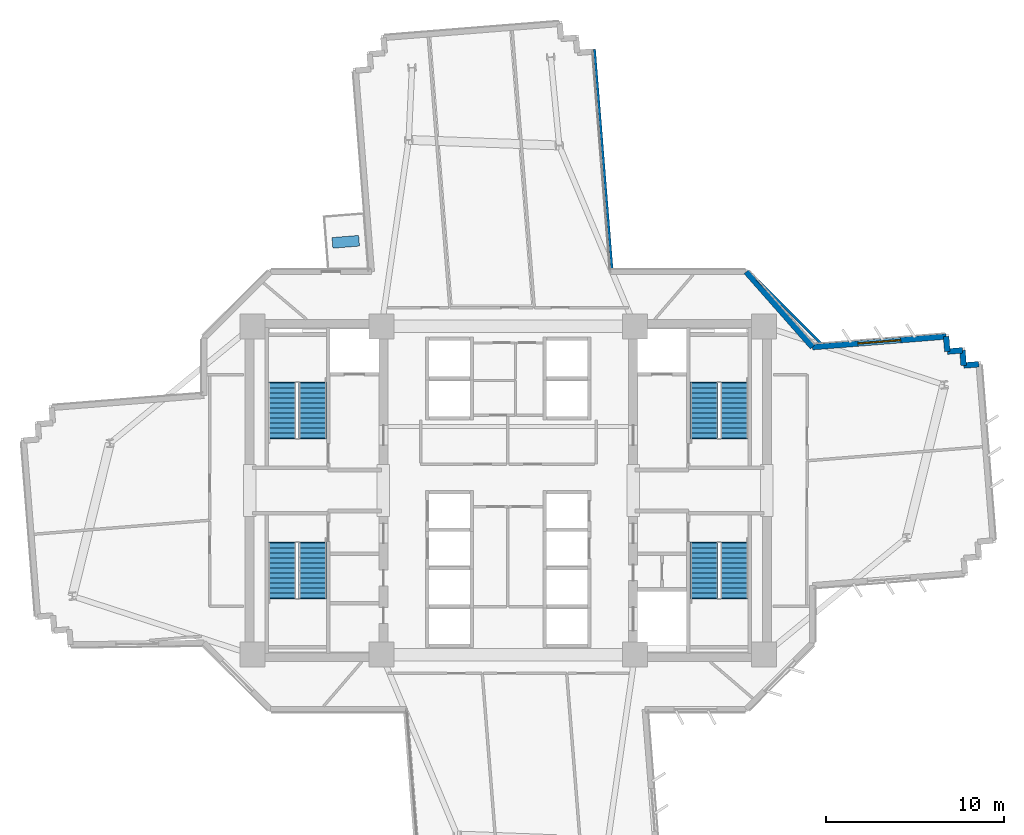
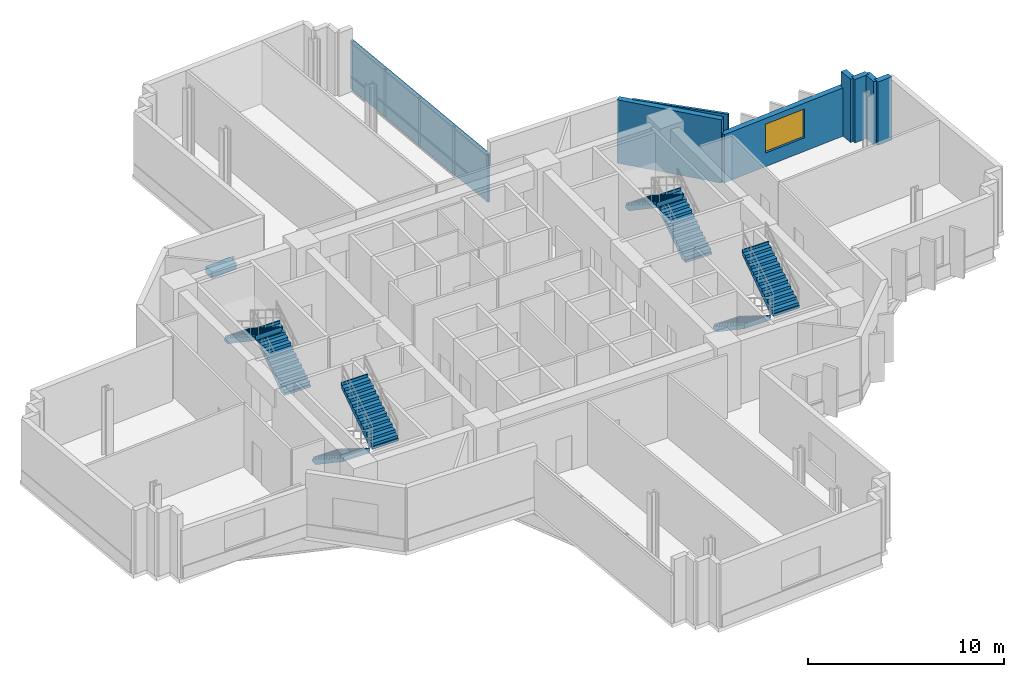
# One storey, part 10 of 15: 8 stair flights, 8 walls, 1 discrete accessory, 1 window, 1 opening, 4 elements without a shape of their own.
"""IFC4 building model written with IfcOpenShell, lengths in metres."""

from ifc_helpers import new_model, si_unit, direction, frame, frame_2d, origin, origin_2d, place, context, subcontext, project, spatial, polyline, rectangle, outline, extrude, source, transform, mapped, material, layer, layer_set, type_object, element, fill, aggregate, save


model = new_model("IFC4")

# Units and contexts
model_context = context("Model", 3, precision=1e-05, world=origin(), true_north=direction((0.0, 1.0)))
body_context = subcontext(model_context, "Body", "Model", "MODEL_VIEW")
ifc_project = project(units=[si_unit("LENGTHUNIT", "METRE"), si_unit("AREAUNIT", "SQUARE_METRE"), si_unit("VOLUMEUNIT", "CUBIC_METRE"), si_unit("PLANEANGLEUNIT", "RADIAN"), si_unit("MASSUNIT", "GRAM", prefix="KILO")], contexts=[model_context])

# Site, building, storey
site_placement = place(None, origin())
site = spatial("IfcSite", under=ifc_project, at=site_placement, CompositionType="ELEMENT")
building_placement = place(site_placement, origin())
building = spatial("IfcBuilding", under=site, at=building_placement, Name="Zahravan Cultural Tower", CompositionType="ELEMENT")
storey_placement = place(building_placement, frame((0.0, 0.0, 79.5)))
storey = spatial("IfcBuildingStorey", under=building, at=storey_placement, Name="L17", CompositionType="ELEMENT", Elevation=79.5)

# Wall, opening, window
ifc_material_1 = material(Name="Precast concrete C40/50", Category="concrete")
ifc_layer_1 = layer(ifc_material_1, 0.320068359375)
ifc_layer_set_1 = layer_set([ifc_layer_1], Name="Precast concrete C40/50")
wall_type_1 = type_object("IfcWallType", Name="EW-TC-320", PredefinedType="SOLIDWALL", material=ifc_layer_set_1)
wall_1_placement = place(storey_placement, frame((53.06005859375, 35.041748046875, 0.0), z_axis=(0.0, 0.0, 1.0), x_axis=(0.996834773193, 0.079501163223, 0.0)))
wall_1 = element("IfcWall", 1, at=wall_1_placement, inside=storey, type_object=wall_type_1, Name="L17 Exterior Masonry Frame Wall 01", PredefinedType="SOLIDWALL", context=body_context, shape_type="SweptSolid", body=[
    extrude(rectangle(XDim=7.514404296875, YDim=0.320068359375, at=frame_2d((3.75732421875, 0.0))), origin(), (0.0, 0.0, 1.0), 3.010009765625),
])
opening_placement = place(wall_1_placement, frame((2.556884765625, 0.0, 0.85009765625)))
opening = element("IfcOpeningElement", 2, at=opening_placement, cuts=wall_1, Name="Opening WN-01", PredefinedType="OPENING", context=body_context, shape_type="SweptSolid", body=[
    extrude(rectangle(XDim=2.39990234375, YDim=1.800048828125, at=frame_2d((1.199951171875, 0.89990234375))), frame((0.0, 0.169921875, 0.0), z_axis=(0.0, -1.0, 0.0), x_axis=(1.0, 0.0, 0.0)), (0.0, 0.0, 1.0), 0.340087890625),
])
ifc_material_2 = material(Name="Low-E solar-control double glazing", Category="glass")
window_type = type_object("IfcWindowType", Name="WN-REC-2400X1800", PartitioningType="DOUBLE_PANEL_VERTICAL", PredefinedType="WINDOW", material=ifc_material_2)
shared_shape_1 = source(origin(), body_context, "Body", "SweptSolid", [
    extrude(rectangle(XDim=2.39990234375, YDim=1.800048828125, at=frame_2d((1.199951171875, 0.89990234375))), frame((0.0, 0.030029296875, 0.0), z_axis=(0.0, -1.0, 0.0), x_axis=(1.0, 0.0, 0.0)), (0.0, 0.0, 1.0), 0.06005859375),
])
window_placement = place(opening_placement, origin())
window = element("IfcWindow", 3, at=window_placement, inside=storey, type_object=window_type, Name="L17 Recessed Solar Window 01", OverallHeight=1.800048828125, OverallWidth=2.39990234375, PartitioningType="DOUBLE_PANEL_VERTICAL", PredefinedType="WINDOW", context=body_context, shape_type="MappedRepresentation", body=[
    mapped(shared_shape_1, transform((0.0, 0.0, 0.0), x_axis=(1.0, 0.0, 0.0), y_axis=(0.0, 1.0, 0.0), z_axis=(0.0, 0.0, 1.0), scale=1.0)),
])
fill(opening, window)

# Walls
shared_shape_2 = source(origin(), body_context, "Body", "SweptSolid", [
    extrude(rectangle(XDim=0.849853515625, YDim=0.320068359375, at=frame_2d((0.4248046875, 0.0))), origin(), (0.0, 0.0, 1.0), 3.949951171875),
])
for number, where, z_axis, x_axis, name in (
    (4, (60.55078125, 35.63916015625, 0.0), (0.0, 0.0, 1.0), (0.079573954853, -0.996828965123, 0.0), "L17 Exterior Masonry Frame Wall 02"),
    (5, (61.533447265625, 34.01220703125, 0.0), (0.0, 0.0, 1.0), (0.996851711541, 0.079288493483, 0.0), "L17 Exterior Masonry Frame Wall 05"),
):
    element("IfcWall", number, at=place(storey_placement, frame(where, z_axis=z_axis, x_axis=x_axis)), inside=storey, type_object=wall_type_1, Name=name, PredefinedType="SOLIDWALL", context=body_context, shape_type="MappedRepresentation", body=[
        mapped(shared_shape_2, transform((0.0, 0.0, 0.0), x_axis=(1.0, 0.0, 0.0), y_axis=(0.0, 1.0, 0.0), z_axis=(0.0, 0.0, 1.0), scale=1.0)),
    ])
shared_shape_3 = source(origin(), body_context, "Body", "SweptSolid", [
    extrude(rectangle(XDim=0.85009765625, YDim=0.320068359375, at=frame_2d((0.425048828125, 0.0))), origin(), (0.0, 0.0, 1.0), 3.949951171875),
])
for number, where, z_axis, x_axis, name in (
    (6, (60.618408203125, 34.7919921875, 0.0), (0.0, 0.0, 1.0), (0.996830783344, 0.079551174585, 0.0), "L17 Exterior Masonry Frame Wall 03"),
    (7, (61.4658203125, 34.859619140625, 0.0), (0.0, 0.0, 1.0), (0.079551174585, -0.996830783344, 0.0), "L17 Exterior Masonry Frame Wall 04"),
):
    element("IfcWall", number, at=place(storey_placement, frame(where, z_axis=z_axis, x_axis=x_axis)), inside=storey, type_object=wall_type_1, Name=name, PredefinedType="SOLIDWALL", context=body_context, shape_type="MappedRepresentation", body=[
        mapped(shared_shape_3, transform((0.0, 0.0, 0.0), x_axis=(1.0, 0.0, 0.0), y_axis=(0.0, 1.0, 0.0), z_axis=(0.0, 0.0, 1.0), scale=1.0)),
    ])
shared_shape_4 = source(origin(), body_context, "Body", "SweptSolid", [
    extrude(rectangle(XDim=5.623046875, YDim=0.320068359375, at=frame_2d((2.8115234375, 0.0))), origin(), (0.0, 0.0, 1.0), 3.949951171875),
])
wall_2_placement = place(storey_placement, frame((49.342041015625, 39.260009765625, 0.0), z_axis=(0.0, 0.0, 1.0), x_axis=(0.66122376427, -0.750188731963, 0.0)))
element("IfcWall", 8, at=wall_2_placement, inside=storey, type_object=wall_type_1, Name="L17 Exterior Masonry Frame Wall 52", PredefinedType="SOLIDWALL", context=body_context, shape_type="MappedRepresentation", body=[
    mapped(shared_shape_4, transform((0.0, 0.0, 0.0), x_axis=(1.0, 0.0, 0.0), y_axis=(0.0, 1.0, 0.0), z_axis=(0.0, 0.0, 1.0), scale=1.0)),
])
ifc_material_3 = material(Name="Gypsum plasterboard partition")
ifc_layer_2 = layer(ifc_material_3, 0.139892578125)
ifc_layer_set_2 = layer_set([ifc_layer_2], Name="Gypsum plasterboard partition")
wall_type_2 = type_object("IfcWallType", Name="W-PART-140", PredefinedType="PARTITIONING", material=ifc_layer_set_2)
shared_shape_5 = source(origin(), body_context, "Body", "SweptSolid", [
    extrude(rectangle(XDim=12.356201171875, YDim=0.139892578125, at=frame_2d((6.17822265625, 0.0))), origin(), (0.0, 0.0, 1.0), 3.010009765625),
])
wall_3_placement = place(storey_placement, frame((40.828125, 51.7421875, 0.0), z_axis=(0.0, 0.0, 1.0), x_axis=(0.079527689156, -0.996832657299, 0.0)))
element("IfcWall", 9, at=wall_3_placement, inside=storey, type_object=wall_type_2, Name="L17 Interior Wall 097", PredefinedType="PARTITIONING", context=body_context, shape_type="MappedRepresentation", body=[
    mapped(shared_shape_5, transform((0.0, 0.0, 0.0), x_axis=(1.0, 0.0, 0.0), y_axis=(0.0, 1.0, 0.0), z_axis=(0.0, 0.0, 1.0), scale=1.0)),
])
shared_shape_6 = source(origin(), body_context, "Body", "SweptSolid", [
    extrude(rectangle(XDim=5.089599609375, YDim=0.139892578125, at=frame_2d((2.544921875, 0.0))), origin(), (0.0, 0.0, 1.0), 3.949951171875),
])
wall_4_placement = place(storey_placement, frame((49.931884765625, 38.83984375, 0.0), z_axis=(0.0, 0.0, 1.0), x_axis=(0.707106781187, -0.707106781187, 0.0)))
element("IfcWall", 10, at=wall_4_placement, inside=storey, type_object=wall_type_2, Name="L17 Interior Wall 102", PredefinedType="PARTITIONING", context=body_context, shape_type="MappedRepresentation", body=[
    mapped(shared_shape_6, transform((0.0, 0.0, 0.0), x_axis=(1.0, 0.0, 0.0), y_axis=(0.0, 1.0, 0.0), z_axis=(0.0, 0.0, 1.0), scale=1.0)),
])

# Stair, stair flights
ifc_material_4 = material(Name="Concrete C45/55", Category="concrete")
stair_type = type_object("IfcStairType", Name="STR-DL-1550-420", PredefinedType="HALF_TURN_STAIR", material=ifc_material_4)
stair_1_placement = place(storey_placement, origin())
stair_1 = element("IfcStair", 11, at=stair_1_placement, inside=storey, type_object=stair_type, Name="L17 West Core North Exit Stair ST-W1", PredefinedType="HALF_TURN_STAIR")
stair_flight_type = type_object("IfcStairFlightType", Name="FLG-DL-1550-420", PredefinedType="STRAIGHT", material=ifc_material_4)
stair_flight_1_placement = place(storey_placement, frame((25.02490234375, 29.949951171875, 0.0), z_axis=(0.0, 0.0, 1.0), x_axis=(0.0, 1.0, 0.0)))
stair_flight_1 = element("IfcStairFlight", 12, at=stair_flight_1_placement, type_object=stair_flight_type, Name="ST-W1 flight 1", NumberOfRisers=12, NumberOfTreads=11, PredefinedType="STRAIGHT", RiserHeight=0.175, TreadLength=0.28, context=body_context, shape_type="SweptSolid", body=[
    extrude(outline(polyline([(-0.06494140625, -0.139892578125), (-0.06494140625, 0.0), (0.0, 0.0), (0.0, 0.175048828125), (0.280029296875, 0.175048828125), (0.280029296875, 0.35009765625), (0.56005859375, 0.35009765625), (0.56005859375, 0.52490234375), (0.840087890625, 0.52490234375), (0.840087890625, 0.699951171875), (1.1201171875, 0.699951171875), (1.1201171875, 0.875), (1.39990234375, 0.875), (1.39990234375, 1.050048828125), (1.679931640625, 1.050048828125), (1.679931640625, 1.22509765625), (1.9599609375, 1.22509765625), (1.9599609375, 1.39990234375), (2.239990234375, 1.39990234375), (2.239990234375, 1.574951171875), (2.52001953125, 1.574951171875), (2.52001953125, 1.75), (2.800048828125, 1.75), (2.800048828125, 1.925048828125), (3.080078125, 1.925048828125), (3.080078125, 2.10009765625), (3.14501953125, 2.10009765625), (3.14501953125, 1.9501953125), (3.080078125, 1.748291015625), (0.28271484375, -0.139892578125), (-0.06494140625, -0.139892578125)])), frame((0.0, 0.77490234375, 0.0), z_axis=(0.0, -1.0, 0.0), x_axis=(1.0, 0.0, 0.0)), (0.0, 0.0, 1.0), 1.550048828125),
])
stair_flight_2_placement = place(storey_placement, frame((23.324951171875, 33.030029296875, 2.10009765625), z_axis=(0.0, 0.0, 1.0), x_axis=(0.0, -1.0, 0.0)))
stair_flight_2 = element("IfcStairFlight", 13, at=stair_flight_2_placement, type_object=stair_flight_type, Name="ST-W1 flight 2", NumberOfRisers=12, NumberOfTreads=11, PredefinedType="STRAIGHT", RiserHeight=0.175, TreadLength=0.28, context=body_context, shape_type="SweptSolid", body=[
    extrude(outline(polyline([(-0.06494140625, -0.139892578125), (-0.06494140625, 0.0), (0.0, 0.0), (0.0, 0.175048828125), (0.280029296875, 0.175048828125), (0.280029296875, 0.35009765625), (0.56005859375, 0.35009765625), (0.56005859375, 0.52490234375), (0.840087890625, 0.52490234375), (0.840087890625, 0.699951171875), (1.1201171875, 0.699951171875), (1.1201171875, 0.875), (1.39990234375, 0.875), (1.39990234375, 1.050048828125), (1.679931640625, 1.050048828125), (1.679931640625, 1.22509765625), (1.9599609375, 1.22509765625), (1.9599609375, 1.39990234375), (2.239990234375, 1.39990234375), (2.239990234375, 1.574951171875), (2.52001953125, 1.574951171875), (2.52001953125, 1.75), (2.800048828125, 1.75), (2.800048828125, 1.925048828125), (3.080078125, 1.925048828125), (3.080078125, 2.10009765625), (3.14501953125, 2.10009765625), (3.14501953125, 1.9501953125), (3.080078125, 1.748291015625), (0.28271484375, -0.139892578125), (-0.06494140625, -0.139892578125)])), frame((0.0, 0.77490234375, 0.0), z_axis=(0.0, -1.0, 0.0), x_axis=(1.0, 0.0, 0.0)), (0.0, 0.0, 1.0), 1.550048828125),
])
aggregate(stair_1, [stair_flight_1, stair_flight_2])

stair_2_placement = place(storey_placement, origin())
stair_2 = element("IfcStair", 14, at=stair_2_placement, inside=storey, type_object=stair_type, Name="L17 West Core South Exit Stair ST-W2", PredefinedType="HALF_TURN_STAIR")
stair_flight_3_placement = place(storey_placement, frame((23.324951171875, 24.050048828125, 0.0), z_axis=(0.0, 0.0, 1.0), x_axis=(0.0, -1.0, 0.0)))
stair_flight_3 = element("IfcStairFlight", 15, at=stair_flight_3_placement, type_object=stair_flight_type, Name="ST-W2 flight 1", NumberOfRisers=12, NumberOfTreads=11, PredefinedType="STRAIGHT", RiserHeight=0.175, TreadLength=0.28, context=body_context, shape_type="SweptSolid", body=[
    extrude(outline(polyline([(-0.06494140625, -0.139892578125), (-0.06494140625, 0.0), (0.0, 0.0), (0.0, 0.175048828125), (0.280029296875, 0.175048828125), (0.280029296875, 0.35009765625), (0.56005859375, 0.35009765625), (0.56005859375, 0.52490234375), (0.840087890625, 0.52490234375), (0.840087890625, 0.699951171875), (1.1201171875, 0.699951171875), (1.1201171875, 0.875), (1.39990234375, 0.875), (1.39990234375, 1.050048828125), (1.679931640625, 1.050048828125), (1.679931640625, 1.22509765625), (1.9599609375, 1.22509765625), (1.9599609375, 1.39990234375), (2.239990234375, 1.39990234375), (2.239990234375, 1.574951171875), (2.52001953125, 1.574951171875), (2.52001953125, 1.75), (2.800048828125, 1.75), (2.800048828125, 1.925048828125), (3.080078125, 1.925048828125), (3.080078125, 2.10009765625), (3.14501953125, 2.10009765625), (3.14501953125, 1.9501953125), (3.080078125, 1.748291015625), (0.28271484375, -0.139892578125), (-0.06494140625, -0.139892578125)])), frame((0.0, 0.77490234375, 0.0), z_axis=(0.0, -1.0, 0.0), x_axis=(1.0, 0.0, 0.0)), (0.0, 0.0, 1.0), 1.550048828125),
])
stair_flight_4_placement = place(storey_placement, frame((25.02490234375, 20.969970703125, 2.10009765625), z_axis=(0.0, 0.0, 1.0), x_axis=(0.0, 1.0, 0.0)))
stair_flight_4 = element("IfcStairFlight", 16, at=stair_flight_4_placement, type_object=stair_flight_type, Name="ST-W2 flight 2", NumberOfRisers=12, NumberOfTreads=11, PredefinedType="STRAIGHT", RiserHeight=0.175, TreadLength=0.28, context=body_context, shape_type="SweptSolid", body=[
    extrude(outline(polyline([(-0.06494140625, -0.139892578125), (-0.06494140625, 0.0), (0.0, 0.0), (0.0, 0.175048828125), (0.280029296875, 0.175048828125), (0.280029296875, 0.35009765625), (0.56005859375, 0.35009765625), (0.56005859375, 0.52490234375), (0.840087890625, 0.52490234375), (0.840087890625, 0.699951171875), (1.1201171875, 0.699951171875), (1.1201171875, 0.875), (1.39990234375, 0.875), (1.39990234375, 1.050048828125), (1.679931640625, 1.050048828125), (1.679931640625, 1.22509765625), (1.9599609375, 1.22509765625), (1.9599609375, 1.39990234375), (2.239990234375, 1.39990234375), (2.239990234375, 1.574951171875), (2.52001953125, 1.574951171875), (2.52001953125, 1.75), (2.800048828125, 1.75), (2.800048828125, 1.925048828125), (3.080078125, 1.925048828125), (3.080078125, 2.10009765625), (3.14501953125, 2.10009765625), (3.14501953125, 1.9501953125), (3.080078125, 1.748291015625), (0.28271484375, -0.139892578125), (-0.06494140625, -0.139892578125)])), frame((0.0, 0.77490234375, 0.0), z_axis=(0.0, -1.0, 0.0), x_axis=(1.0, 0.0, 0.0)), (0.0, 0.0, 1.0), 1.550048828125),
])
aggregate(stair_2, [stair_flight_3, stair_flight_4])

stair_3_placement = place(storey_placement, origin())
stair_3 = element("IfcStair", 17, at=stair_3_placement, inside=storey, type_object=stair_type, Name="L17 East Core North Exit Stair ST-E1", PredefinedType="HALF_TURN_STAIR")
stair_flight_5_placement = place(storey_placement, frame((48.675048828125, 29.949951171875, 0.0), z_axis=(0.0, 0.0, 1.0), x_axis=(0.0, 1.0, 0.0)))
stair_flight_5 = element("IfcStairFlight", 18, at=stair_flight_5_placement, type_object=stair_flight_type, Name="ST-E1 flight 1", NumberOfRisers=12, NumberOfTreads=11, PredefinedType="STRAIGHT", RiserHeight=0.175, TreadLength=0.28, context=body_context, shape_type="SweptSolid", body=[
    extrude(outline(polyline([(-0.06494140625, -0.139892578125), (-0.06494140625, 0.0), (0.0, 0.0), (0.0, 0.175048828125), (0.280029296875, 0.175048828125), (0.280029296875, 0.35009765625), (0.56005859375, 0.35009765625), (0.56005859375, 0.52490234375), (0.840087890625, 0.52490234375), (0.840087890625, 0.699951171875), (1.1201171875, 0.699951171875), (1.1201171875, 0.875), (1.39990234375, 0.875), (1.39990234375, 1.050048828125), (1.679931640625, 1.050048828125), (1.679931640625, 1.22509765625), (1.9599609375, 1.22509765625), (1.9599609375, 1.39990234375), (2.239990234375, 1.39990234375), (2.239990234375, 1.574951171875), (2.52001953125, 1.574951171875), (2.52001953125, 1.75), (2.800048828125, 1.75), (2.800048828125, 1.925048828125), (3.080078125, 1.925048828125), (3.080078125, 2.10009765625), (3.14501953125, 2.10009765625), (3.14501953125, 1.9501953125), (3.080078125, 1.748291015625), (0.28271484375, -0.139892578125), (-0.06494140625, -0.139892578125)])), frame((0.0, 0.77490234375, 0.0), z_axis=(0.0, -1.0, 0.0), x_axis=(1.0, 0.0, 0.0)), (0.0, 0.0, 1.0), 1.550048828125),
])
stair_flight_6_placement = place(storey_placement, frame((46.97509765625, 33.030029296875, 2.10009765625), z_axis=(0.0, 0.0, 1.0), x_axis=(0.0, -1.0, 0.0)))
stair_flight_6 = element("IfcStairFlight", 19, at=stair_flight_6_placement, type_object=stair_flight_type, Name="ST-E1 flight 2", NumberOfRisers=12, NumberOfTreads=11, PredefinedType="STRAIGHT", RiserHeight=0.175, TreadLength=0.28, context=body_context, shape_type="SweptSolid", body=[
    extrude(outline(polyline([(-0.06494140625, -0.139892578125), (-0.06494140625, 0.0), (0.0, 0.0), (0.0, 0.175048828125), (0.280029296875, 0.175048828125), (0.280029296875, 0.35009765625), (0.56005859375, 0.35009765625), (0.56005859375, 0.52490234375), (0.840087890625, 0.52490234375), (0.840087890625, 0.699951171875), (1.1201171875, 0.699951171875), (1.1201171875, 0.875), (1.39990234375, 0.875), (1.39990234375, 1.050048828125), (1.679931640625, 1.050048828125), (1.679931640625, 1.22509765625), (1.9599609375, 1.22509765625), (1.9599609375, 1.39990234375), (2.239990234375, 1.39990234375), (2.239990234375, 1.574951171875), (2.52001953125, 1.574951171875), (2.52001953125, 1.75), (2.800048828125, 1.75), (2.800048828125, 1.925048828125), (3.080078125, 1.925048828125), (3.080078125, 2.10009765625), (3.14501953125, 2.10009765625), (3.14501953125, 1.9501953125), (3.080078125, 1.748291015625), (0.28271484375, -0.139892578125), (-0.06494140625, -0.139892578125)])), frame((0.0, 0.77490234375, 0.0), z_axis=(0.0, -1.0, 0.0), x_axis=(1.0, 0.0, 0.0)), (0.0, 0.0, 1.0), 1.550048828125),
])
aggregate(stair_3, [stair_flight_5, stair_flight_6])

stair_4_placement = place(storey_placement, origin())
stair_4 = element("IfcStair", 20, at=stair_4_placement, inside=storey, type_object=stair_type, Name="L17 East Core South Exit Stair ST-E2", PredefinedType="HALF_TURN_STAIR")
stair_flight_7_placement = place(storey_placement, frame((46.97509765625, 24.050048828125, 0.0), z_axis=(0.0, 0.0, 1.0), x_axis=(0.0, -1.0, 0.0)))
stair_flight_7 = element("IfcStairFlight", 21, at=stair_flight_7_placement, type_object=stair_flight_type, Name="ST-E2 flight 1", NumberOfRisers=12, NumberOfTreads=11, PredefinedType="STRAIGHT", RiserHeight=0.175, TreadLength=0.28, context=body_context, shape_type="SweptSolid", body=[
    extrude(outline(polyline([(-0.06494140625, -0.139892578125), (-0.06494140625, 0.0), (0.0, 0.0), (0.0, 0.175048828125), (0.280029296875, 0.175048828125), (0.280029296875, 0.35009765625), (0.56005859375, 0.35009765625), (0.56005859375, 0.52490234375), (0.840087890625, 0.52490234375), (0.840087890625, 0.699951171875), (1.1201171875, 0.699951171875), (1.1201171875, 0.875), (1.39990234375, 0.875), (1.39990234375, 1.050048828125), (1.679931640625, 1.050048828125), (1.679931640625, 1.22509765625), (1.9599609375, 1.22509765625), (1.9599609375, 1.39990234375), (2.239990234375, 1.39990234375), (2.239990234375, 1.574951171875), (2.52001953125, 1.574951171875), (2.52001953125, 1.75), (2.800048828125, 1.75), (2.800048828125, 1.925048828125), (3.080078125, 1.925048828125), (3.080078125, 2.10009765625), (3.14501953125, 2.10009765625), (3.14501953125, 1.9501953125), (3.080078125, 1.748291015625), (0.28271484375, -0.139892578125), (-0.06494140625, -0.139892578125)])), frame((0.0, 0.77490234375, 0.0), z_axis=(0.0, -1.0, 0.0), x_axis=(1.0, 0.0, 0.0)), (0.0, 0.0, 1.0), 1.550048828125),
])
stair_flight_8_placement = place(storey_placement, frame((48.675048828125, 20.969970703125, 2.10009765625), z_axis=(0.0, 0.0, 1.0), x_axis=(0.0, 1.0, 0.0)))
stair_flight_8 = element("IfcStairFlight", 22, at=stair_flight_8_placement, type_object=stair_flight_type, Name="ST-E2 flight 2", NumberOfRisers=12, NumberOfTreads=11, PredefinedType="STRAIGHT", RiserHeight=0.175, TreadLength=0.28, context=body_context, shape_type="SweptSolid", body=[
    extrude(outline(polyline([(-0.06494140625, -0.139892578125), (-0.06494140625, 0.0), (0.0, 0.0), (0.0, 0.175048828125), (0.280029296875, 0.175048828125), (0.280029296875, 0.35009765625), (0.56005859375, 0.35009765625), (0.56005859375, 0.52490234375), (0.840087890625, 0.52490234375), (0.840087890625, 0.699951171875), (1.1201171875, 0.699951171875), (1.1201171875, 0.875), (1.39990234375, 0.875), (1.39990234375, 1.050048828125), (1.679931640625, 1.050048828125), (1.679931640625, 1.22509765625), (1.9599609375, 1.22509765625), (1.9599609375, 1.39990234375), (2.239990234375, 1.39990234375), (2.239990234375, 1.574951171875), (2.52001953125, 1.574951171875), (2.52001953125, 1.75), (2.800048828125, 1.75), (2.800048828125, 1.925048828125), (3.080078125, 1.925048828125), (3.080078125, 2.10009765625), (3.14501953125, 2.10009765625), (3.14501953125, 1.9501953125), (3.080078125, 1.748291015625), (0.28271484375, -0.139892578125), (-0.06494140625, -0.139892578125)])), frame((0.0, 0.77490234375, 0.0), z_axis=(0.0, -1.0, 0.0), x_axis=(1.0, 0.0, 0.0)), (0.0, 0.0, 1.0), 1.550048828125),
])
aggregate(stair_4, [stair_flight_7, stair_flight_8])

# Discrete accessory
ifc_material_5 = material(Name="Planted soil and terracotta planter", Category="masonry")
discrete_accessory_type = type_object("IfcDiscreteAccessoryType", Name="ACC-PLANTER-TC", PredefinedType="USERDEFINED", material=ifc_material_5)
shared_shape_7 = source(origin(), body_context, "Body", "SweptSolid", [
    extrude(rectangle(XDim=1.5, YDim=0.60009765625, at=origin_2d()), origin(), (0.0, 0.0, 1.0), 0.419921875),
])
discrete_accessory_placement = place(storey_placement, frame((26.885009765625, 40.944091796875, 0.0), z_axis=(0.0, 0.0, 1.0), x_axis=(0.996834624954, 0.079503021908, 0.0)))
element("IfcDiscreteAccessory", 23, at=discrete_accessory_placement, inside=storey, type_object=discrete_accessory_type, Name="L17 Terracotta Sculpture Planter NW", ObjectType="PLANTER", PredefinedType="USERDEFINED", context=body_context, shape_type="MappedRepresentation", body=[
    mapped(shared_shape_7, transform((0.0, 0.0, 0.0), x_axis=(1.0, 0.0, 0.0), y_axis=(0.0, 1.0, 0.0), z_axis=(0.0, 0.0, 1.0), scale=1.0)),
])

save(model, "model.ifc")
